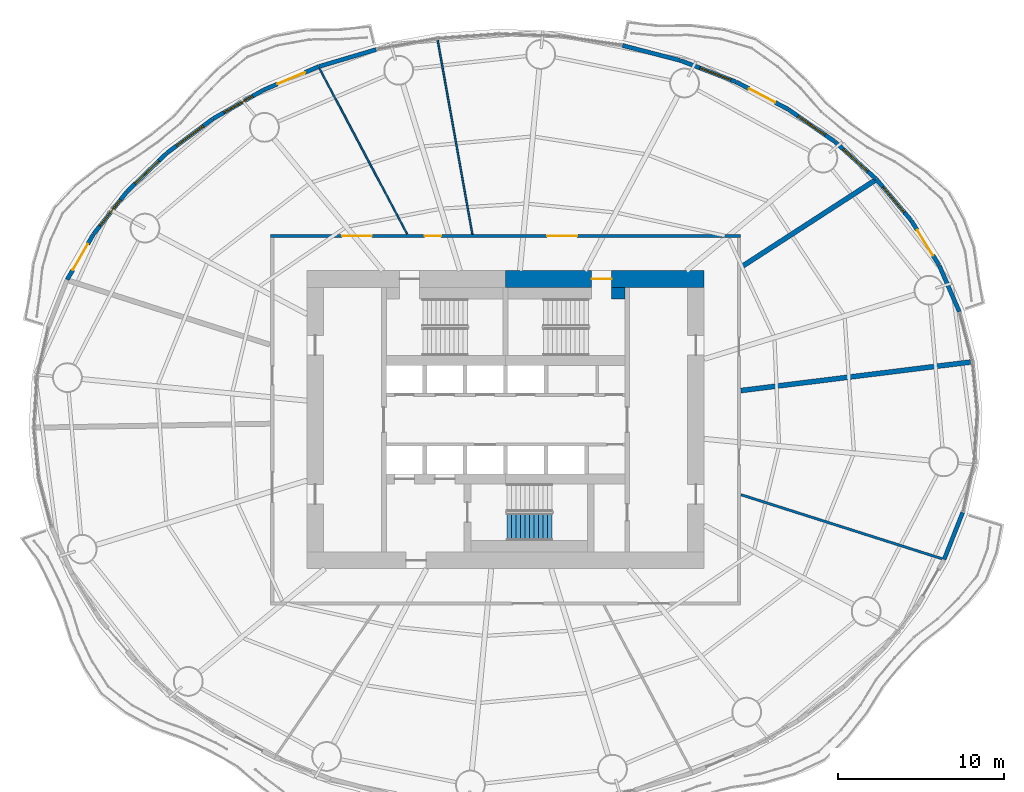
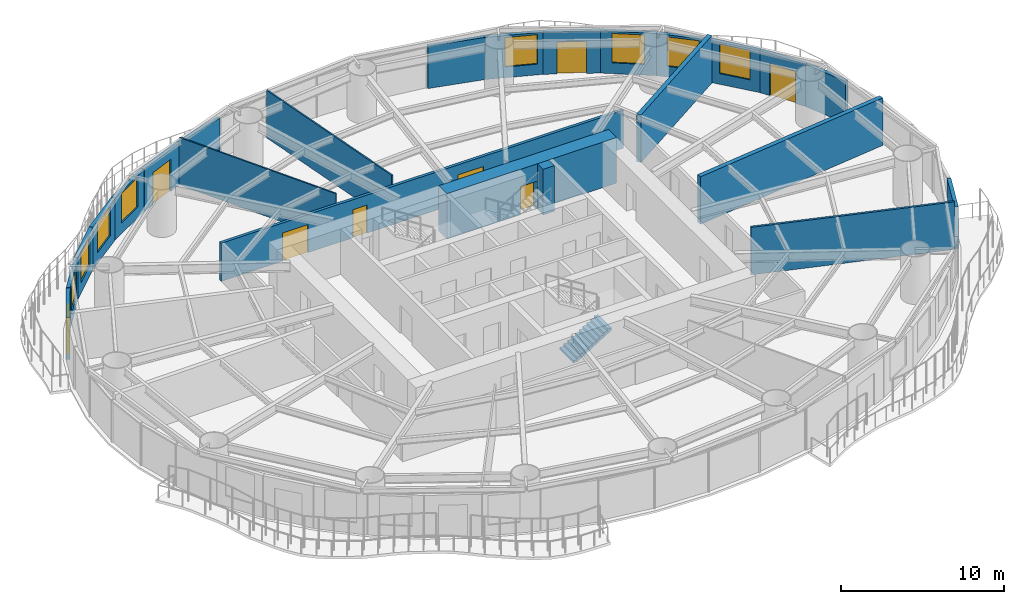
# One storey, part 10 of 17: 24 walls, 8 doors, 8 windows, 1 stair flight, 16 openings, 1 element without a shape of its own.
"""IFC4 building model written with IfcOpenShell, lengths in metres."""

from ifc_helpers import new_model, si_unit, direction, frame, frame_2d, origin, place, context, subcontext, project, spatial, polyline, rectangle, outline, extrude, material, layer, layer_set, type_object, element, fill, aggregate, save


model = new_model("IFC4")

# Units and contexts
model_context = context("Model", 3, precision=1e-05, world=origin(), true_north=direction((0.0, 1.0)))
body_context = subcontext(model_context, "Body", "Model", "MODEL_VIEW")
ifc_project = project(units=[si_unit("LENGTHUNIT", "METRE"), si_unit("AREAUNIT", "SQUARE_METRE"), si_unit("VOLUMEUNIT", "CUBIC_METRE"), si_unit("PLANEANGLEUNIT", "RADIAN"), si_unit("MASSUNIT", "GRAM", prefix="KILO")], contexts=[model_context])

# Site, building, storey
site_placement = place(None, origin())
site = spatial("IfcSite", under=ifc_project, at=site_placement, CompositionType="ELEMENT")
building_placement = place(site_placement, origin())
building = spatial("IfcBuilding", under=site, at=building_placement, Name="Vermilion Reach Broadcast Tower", CompositionType="ELEMENT")
storey_placement = place(building_placement, frame((0.0, 0.0, 39.699951171875)))
storey = spatial("IfcBuildingStorey", under=building, at=storey_placement, Name="L06", CompositionType="ELEMENT", Elevation=39.699951171875)

# Wall, opening, door
ifc_material_1 = material(Name="Concrete C70", Category="concrete")
ifc_layer_1 = layer(ifc_material_1, 1.0)
ifc_layer_set_1 = layer_set([ifc_layer_1], Name="Core outer wall 1000 mm Concrete C70")
wall_type_1 = type_object("IfcWallType", Name="Core outer wall 1000 mm Concrete C70", PredefinedType="SHEAR", material=ifc_layer_set_1)
wall_1_placement = place(storey_placement, frame((6.0, 8.5, 0.0), z_axis=(0.0, 0.0, 1.0), x_axis=(-1.0, 0.0, 0.0)))
wall_1 = element("IfcWall", 1, at=wall_1_placement, inside=storey, type_object=wall_type_1, Name="L06 core wall onE", PredefinedType="SHEAR", context=body_context, shape_type="SweptSolid", body=[
    extrude(rectangle(XDim=12.0, YDim=1.0, at=frame_2d((6.0, 0.0))), origin(), (0.0, 0.0, 1.0), 3.400146484375),
])
opening_1_placement = place(wall_1_placement, frame((5.60009765625, 0.0, 0.0)))
opening_1 = element("IfcOpeningElement", 2, at=opening_1_placement, cuts=wall_1, Name="Opening D01", PredefinedType="OPENING", context=body_context, shape_type="SweptSolid", body=[
    extrude(rectangle(XDim=1.199951171875, YDim=2.10009765625, at=frame_2d((0.60009765625, 1.050048828125))), frame((0.0, 0.510009765625, 0.0), z_axis=(0.0, -1.0, 0.0), x_axis=(1.0, 0.0, 0.0)), (0.0, 0.0, 1.0), 1.02001953125),
])
ifc_material_2 = material(Name="Painted steel fire door", Category="steel")
door_type_1 = type_object("IfcDoorType", Name="Stair door 1200 x 2100", OperationType="DOUBLE_DOOR_SINGLE_SWING", PredefinedType="NOTDEFINED", material=ifc_material_2)
door_1_placement = place(opening_1_placement, origin())
door_1 = element("IfcDoor", 3, at=door_1_placement, inside=storey, type_object=door_type_1, Name="L06 stair door ST2", OperationType="DOUBLE_DOOR_SINGLE_SWING", OverallHeight=2.10009765625, OverallWidth=1.199951171875, PredefinedType="NOTDEFINED", context=body_context, shape_type="SweptSolid", body=[
    extrude(rectangle(XDim=1.199951171875, YDim=2.10009765625, at=frame_2d((0.60009765625, 1.050048828125))), frame((0.0, 0.02490234375, 0.0), z_axis=(0.0, -1.0, 0.0), x_axis=(1.0, 0.0, 0.0)), (0.0, 0.0, 1.0), 0.050048828125),
])
fill(opening_1, door_1)

# Walls
ifc_material_3 = material(Name="Concrete C70", Category="concrete")
ifc_layer_2 = layer(ifc_material_3, 0.699951171875)
ifc_layer_set_2 = layer_set([ifc_layer_2], Name="Core stair wall 700 mm Concrete C70")
wall_type_2 = type_object("IfcWallType", Name="Core stair wall 700 mm Concrete C70", PredefinedType="SHEAR", material=ifc_layer_set_2)
wall_2_placement = place(storey_placement, frame((0.39990234375, 7.64990234375, 0.0), z_axis=(0.0, 0.0, 1.0), x_axis=(1.0, 0.0, 0.0)))
element("IfcWall", 4, at=wall_2_placement, inside=storey, type_object=wall_type_2, Name="L06 core wall l2b", PredefinedType="SHEAR", context=body_context, shape_type="SweptSolid", body=[
    extrude(rectangle(XDim=0.800048828125, YDim=0.699951171875, at=frame_2d((0.39990234375, 0.0))), origin(), (0.0, 0.0, 1.0), 3.400146484375),
])
ifc_material_4 = material(Name="Plasterboard on steel stud", Category="steel")
ifc_layer_3 = layer(ifc_material_4, 0.10009765625)
ifc_layer_set_3 = layer_set([ifc_layer_3], Name="Partition 100 steel stud")
wall_type_3 = type_object("IfcWallType", Name="Partition 100 steel stud", PredefinedType="PARTITIONING", material=ifc_layer_set_3)
wall_3_placement = place(storey_placement, frame((-10.097900390625, 22.90966796875, 0.0), z_axis=(0.0, 0.0, 1.0), x_axis=(0.176081376596, -0.984375613684, 0.0)))
element("IfcWall", 5, at=wall_3_placement, inside=storey, type_object=wall_type_3, Name="Partition 6.03", PredefinedType="PARTITIONING", context=body_context, shape_type="SweptSolid", body=[
    extrude(rectangle(XDim=11.88671875, YDim=0.10009765625, at=frame_2d((5.943359375, 0.0))), origin(), (0.0, 0.0, 1.0), 3.550048828125),
])
wall_4_placement = place(storey_placement, frame((-17.241455078125, 21.21533203125, 0.0), z_axis=(0.0, 0.0, 1.0), x_axis=(0.468204132098, -0.883620331752, 0.0)))
element("IfcWall", 6, at=wall_4_placement, inside=storey, type_object=wall_type_3, Name="Partition 6.04", PredefinedType="PARTITIONING", context=body_context, shape_type="SweptSolid", body=[
    extrude(rectangle(XDim=11.307861328125, YDim=0.10009765625, at=frame_2d((5.65380859375, 0.0))), origin(), (0.0, 0.0, 1.0), 3.550048828125),
])
ifc_material_5 = material(Name="Lightweight concrete block, plastered", Category="concrete")
ifc_layer_4 = layer(ifc_material_5, 0.14990234375)
ifc_layer_set_4 = layer_set([ifc_layer_4], Name="Partition 150 lightweight block")
wall_type_4 = type_object("IfcWallType", Name="Partition 150 lightweight block", PredefinedType="PARTITIONING", material=ifc_layer_set_4)
wall_5_placement = place(storey_placement, frame((20.372314453125, -8.398681640625, 0.0), z_axis=(0.0, 0.0, 1.0), x_axis=(-0.95285006043, 0.303441530346, 0.0)))
element("IfcWall", 7, at=wall_5_placement, inside=storey, type_object=wall_type_4, Name="Partition 6.09", PredefinedType="PARTITIONING", context=body_context, shape_type="SweptSolid", body=[
    extrude(rectangle(XDim=12.7509765625, YDim=0.14990234375, at=frame_2d((6.37548828125, 0.0))), origin(), (0.0, 0.0, 1.0), 3.550048828125),
])
ifc_material_6 = material(Name="Double-leaf plasterboard on isolated steel stud", Category="steel")
ifc_layer_5 = layer(ifc_material_6, 0.300048828125)
ifc_layer_set_5 = layer_set([ifc_layer_5], Name="Partition 300 acoustic double leaf")
wall_type_5 = type_object("IfcWallType", Name="Partition 300 acoustic double leaf", PredefinedType="PARTITIONING", material=ifc_layer_set_5)
wall_6_placement = place(storey_placement, frame((22.0791015625, 3.48388671875, 0.0), z_axis=(0.0, 0.0, 1.0), x_axis=(-0.992390679807, -0.123128951237, 0.0)))
element("IfcWall", 8, at=wall_6_placement, inside=storey, type_object=wall_type_5, Name="Partition 6.01", PredefinedType="PARTITIONING", context=body_context, shape_type="SweptSolid", body=[
    extrude(rectangle(XDim=13.966796875, YDim=0.300048828125, at=frame_2d((6.9833984375, 0.0))), origin(), (0.0, 0.0, 1.0), 3.550048828125),
])
wall_7_placement = place(storey_placement, frame((16.298828125, 14.45166015625, 0.0), z_axis=(0.0, 0.0, 1.0), x_axis=(-0.839170912844, -0.54386779555, 0.0)))
element("IfcWall", 9, at=wall_7_placement, inside=storey, type_object=wall_type_5, Name="Partition 6.02", PredefinedType="PARTITIONING", context=body_context, shape_type="SweptSolid", body=[
    extrude(rectangle(XDim=9.553955078125, YDim=0.300048828125, at=frame_2d((4.77685546875, 0.0))), origin(), (0.0, 0.0, 1.0), 3.550048828125),
])
ifc_material_7 = material(Name="Terracotta rainscreen cladding", Category="masonry")
ifc_layer_6 = layer(ifc_material_7, 0.25)
ifc_layer_set_6 = layer_set([ifc_layer_6], Name="Terracotta rainscreen wall 250")
wall_type_6 = type_object("IfcWallType", Name="Terracotta rainscreen wall 250", PredefinedType="SOLIDWALL", material=ifc_layer_set_6)
wall_8_placement = place(storey_placement, frame((21.406494140625, 6.525634765625, 0.0), z_axis=(0.0, 0.0, 1.0), x_axis=(-0.398117264061, 0.917334532249, 0.0)))
element("IfcWall", 10, at=wall_8_placement, inside=storey, type_object=wall_type_6, Name="External wall L06 02", PredefinedType="SOLIDWALL", context=body_context, shape_type="SweptSolid", body=[
    extrude(rectangle(XDim=3.05029296875, YDim=0.25, at=frame_2d((1.525146484375, 0.0))), origin(), (0.0, 0.0, 1.0), 3.150146484375),
])

# Wall, opening, door
wall_9_placement = place(storey_placement, frame((20.1796875, 9.34716796875, 0.0), z_axis=(0.0, 0.0, 1.0), x_axis=(-0.529936462225, 0.848037349416, 0.0)))
wall_9 = element("IfcWall", 11, at=wall_9_placement, inside=storey, type_object=wall_type_6, Name="External wall L06 03", PredefinedType="SOLIDWALL", context=body_context, shape_type="SweptSolid", body=[
    extrude(rectangle(XDim=3.161376953125, YDim=0.25, at=frame_2d((1.58056640625, 0.0))), origin(), (0.0, 0.0, 1.0), 3.150146484375),
])
opening_2_placement = place(wall_9_placement, frame((0.680908203125, 0.0, 0.0)))
opening_2 = element("IfcOpeningElement", 12, at=opening_2_placement, cuts=wall_9, Name="Opening D70", PredefinedType="OPENING", context=body_context, shape_type="SweptSolid", body=[
    extrude(rectangle(XDim=1.800048828125, YDim=2.39990234375, at=frame_2d((0.89990234375, 1.199951171875))), frame((0.0, 0.135009765625, 0.0), z_axis=(0.0, -1.0, 0.0), x_axis=(1.0, 0.0, 0.0)), (0.0, 0.0, 1.0), 0.27001953125),
])
ifc_material_8 = material(Name="Low-e laminated clear glass in aluminium frame", Category="aluminium")
door_type_2 = type_object("IfcDoorType", Name="Balcony sliding door 1800 x 2400", OperationType="DOUBLE_DOOR_SLIDING", PredefinedType="DOOR", material=ifc_material_8)
door_2_placement = place(opening_2_placement, origin())
door_2 = element("IfcDoor", 13, at=door_2_placement, inside=storey, type_object=door_type_2, Name="Balcony door L06 run 01", OperationType="DOUBLE_DOOR_SLIDING", OverallHeight=2.39990234375, OverallWidth=1.800048828125, PredefinedType="DOOR", context=body_context, shape_type="SweptSolid", body=[
    extrude(rectangle(XDim=1.800048828125, YDim=2.39990234375, at=frame_2d((0.89990234375, 1.199951171875))), frame((0.0, 0.02490234375, 0.0), z_axis=(0.0, -1.0, 0.0), x_axis=(1.0, 0.0, 0.0)), (0.0, 0.0, 1.0), 0.050048828125),
])
fill(opening_2, door_2)

# Wall, opening, window
wall_10_placement = place(storey_placement, frame((18.4892578125, 12.049072265625, 0.0), z_axis=(0.0, 0.0, 1.0), x_axis=(-0.644879179912, 0.76428453034, 0.0)))
wall_10 = element("IfcWall", 14, at=wall_10_placement, inside=storey, type_object=wall_type_6, Name="External wall L06 04", PredefinedType="SOLIDWALL", context=body_context, shape_type="SweptSolid", body=[
    extrude(rectangle(XDim=3.244873046875, YDim=0.25, at=frame_2d((1.62255859375, 0.0))), origin(), (0.0, 0.0, 1.0), 3.150146484375),
])
opening_3_placement = place(wall_10_placement, frame((0.622314453125, 0.0, 0.800048828125)))
opening_3 = element("IfcOpeningElement", 15, at=opening_3_placement, cuts=wall_10, Name="Opening W01", PredefinedType="OPENING", context=body_context, shape_type="SweptSolid", body=[
    extrude(rectangle(XDim=2.0, YDim=2.199951171875, at=frame_2d((1.0, 1.10009765625))), frame((0.0, 0.135009765625, 0.0), z_axis=(0.0, -1.0, 0.0), x_axis=(1.0, 0.0, 0.0)), (0.0, 0.0, 1.0), 0.27001953125),
])
ifc_material_9 = material(Name="Low-e laminated clear glass in aluminium frame", Category="aluminium")
window_type = type_object("IfcWindowType", Name="Punched window 2000 x 2200 sill 800", PartitioningType="SINGLE_PANEL", PredefinedType="WINDOW", material=ifc_material_9)
window_1_placement = place(opening_3_placement, origin())
window_1 = element("IfcWindow", 16, at=window_1_placement, inside=storey, type_object=window_type, Name="Window L06 04", OverallHeight=2.199951171875, OverallWidth=2.0, PartitioningType="SINGLE_PANEL", PredefinedType="WINDOW", context=body_context, shape_type="SweptSolid", body=[
    extrude(rectangle(XDim=2.0, YDim=2.199951171875, at=frame_2d((1.0, 1.10009765625))), frame((0.0, 0.030029296875, 0.0), z_axis=(0.0, -1.0, 0.0), x_axis=(1.0, 0.0, 0.0)), (0.0, 0.0, 1.0), 0.06005859375),
])
fill(opening_3, window_1)

wall_11_placement = place(storey_placement, frame((16.37939453125, 14.546875, 0.0), z_axis=(0.0, 0.0, 1.0), x_axis=(-0.741993404353, 0.670407180672, 0.0)))
wall_11 = element("IfcWall", 17, at=wall_11_placement, inside=storey, type_object=wall_type_6, Name="External wall L06 05", PredefinedType="SOLIDWALL", context=body_context, shape_type="SweptSolid", body=[
    extrude(rectangle(XDim=3.33544921875, YDim=0.25, at=frame_2d((1.667724609375, 0.0))), origin(), (0.0, 0.0, 1.0), 3.150146484375),
])
opening_4_placement = place(wall_11_placement, frame((0.667724609375, 0.0, 0.800048828125)))
opening_4 = element("IfcOpeningElement", 18, at=opening_4_placement, cuts=wall_11, Name="Opening W01", PredefinedType="OPENING", context=body_context, shape_type="SweptSolid", body=[
    extrude(rectangle(XDim=2.0, YDim=2.199951171875, at=frame_2d((1.0, 1.10009765625))), frame((0.0, 0.135009765625, 0.0), z_axis=(0.0, -1.0, 0.0), x_axis=(1.0, 0.0, 0.0)), (0.0, 0.0, 1.0), 0.27001953125),
])
window_2_placement = place(opening_4_placement, origin())
window_2 = element("IfcWindow", 19, at=window_2_placement, inside=storey, type_object=window_type, Name="Window L06 05", OverallHeight=2.199951171875, OverallWidth=2.0, PartitioningType="SINGLE_PANEL", PredefinedType="WINDOW", context=body_context, shape_type="SweptSolid", body=[
    extrude(rectangle(XDim=2.0, YDim=2.199951171875, at=frame_2d((1.0, 1.10009765625))), frame((0.0, 0.030029296875, 0.0), z_axis=(0.0, -1.0, 0.0), x_axis=(1.0, 0.0, 0.0)), (0.0, 0.0, 1.0), 0.06005859375),
])
fill(opening_4, window_2)

wall_12_placement = place(storey_placement, frame((13.8857421875, 16.7978515625, 0.0), z_axis=(0.0, 0.0, 1.0), x_axis=(-0.821704553171, 0.569913701623, 0.0)))
wall_12 = element("IfcWall", 20, at=wall_12_placement, inside=storey, type_object=wall_type_6, Name="External wall L06 06", PredefinedType="SOLIDWALL", context=body_context, shape_type="SweptSolid", body=[
    extrude(rectangle(XDim=3.426513671875, YDim=0.25, at=frame_2d((1.71337890625, 0.0))), origin(), (0.0, 0.0, 1.0), 3.150146484375),
])
opening_5_placement = place(wall_12_placement, frame((0.71337890625, 0.0, 0.800048828125)))
opening_5 = element("IfcOpeningElement", 21, at=opening_5_placement, cuts=wall_12, Name="Opening W01", PredefinedType="OPENING", context=body_context, shape_type="SweptSolid", body=[
    extrude(rectangle(XDim=2.0, YDim=2.199951171875, at=frame_2d((1.0, 1.10009765625))), frame((0.0, 0.135009765625, 0.0), z_axis=(0.0, -1.0, 0.0), x_axis=(1.0, 0.0, 0.0)), (0.0, 0.0, 1.0), 0.27001953125),
])
window_3_placement = place(opening_5_placement, origin())
window_3 = element("IfcWindow", 22, at=window_3_placement, inside=storey, type_object=window_type, Name="Window L06 06", OverallHeight=2.199951171875, OverallWidth=2.0, PartitioningType="SINGLE_PANEL", PredefinedType="WINDOW", context=body_context, shape_type="SweptSolid", body=[
    extrude(rectangle(XDim=2.0, YDim=2.199951171875, at=frame_2d((1.0, 1.10009765625))), frame((0.0, 0.030029296875, 0.0), z_axis=(0.0, -1.0, 0.0), x_axis=(1.0, 0.0, 0.0)), (0.0, 0.0, 1.0), 0.06005859375),
])
fill(opening_5, window_3)

# Wall, opening, door
wall_13_placement = place(storey_placement, frame((11.050048828125, 18.7626953125, 0.0), z_axis=(0.0, 0.0, 1.0), x_axis=(-0.885034300513, 0.465525817667, 0.0)))
wall_13 = element("IfcWall", 23, at=wall_13_placement, inside=storey, type_object=wall_type_6, Name="External wall L06 07", PredefinedType="SOLIDWALL", context=body_context, shape_type="SweptSolid", body=[
    extrude(rectangle(XDim=3.51220703125, YDim=0.25, at=frame_2d((1.756103515625, 0.0))), origin(), (0.0, 0.0, 1.0), 3.150146484375),
])
opening_6_placement = place(wall_13_placement, frame((0.85595703125, 0.0, 0.0)))
opening_6 = element("IfcOpeningElement", 24, at=opening_6_placement, cuts=wall_13, Name="Opening D70", PredefinedType="OPENING", context=body_context, shape_type="SweptSolid", body=[
    extrude(rectangle(XDim=1.800048828125, YDim=2.39990234375, at=frame_2d((0.89990234375, 1.199951171875))), frame((0.0, 0.135009765625, 0.0), z_axis=(0.0, -1.0, 0.0), x_axis=(1.0, 0.0, 0.0)), (0.0, 0.0, 1.0), 0.27001953125),
])
door_3_placement = place(opening_6_placement, origin())
door_3 = element("IfcDoor", 25, at=door_3_placement, inside=storey, type_object=door_type_2, Name="Balcony door L06 run 02", OperationType="DOUBLE_DOOR_SLIDING", OverallHeight=2.39990234375, OverallWidth=1.800048828125, PredefinedType="DOOR", context=body_context, shape_type="SweptSolid", body=[
    extrude(rectangle(XDim=1.800048828125, YDim=2.39990234375, at=frame_2d((0.89990234375, 1.199951171875))), frame((0.0, 0.02490234375, 0.0), z_axis=(0.0, -1.0, 0.0), x_axis=(1.0, 0.0, 0.0)), (0.0, 0.0, 1.0), 0.050048828125),
])
fill(opening_6, door_3)

# Wall, opening, window
wall_14_placement = place(storey_placement, frame((7.9208984375, 20.406982421875, 0.0), z_axis=(0.0, 0.0, 1.0), x_axis=(-0.933305255529, 0.359083973468, 0.0)))
wall_14 = element("IfcWall", 26, at=wall_14_placement, inside=storey, type_object=wall_type_6, Name="External wall L06 08", PredefinedType="SOLIDWALL", context=body_context, shape_type="SweptSolid", body=[
    extrude(rectangle(XDim=3.587158203125, YDim=0.25, at=frame_2d((1.79345703125, 0.0))), origin(), (0.0, 0.0, 1.0), 3.150146484375),
])
opening_7_placement = place(wall_14_placement, frame((0.343994140625, 0.0, 0.800048828125)))
opening_7 = element("IfcOpeningElement", 27, at=opening_7_placement, cuts=wall_14, Name="Opening W01", PredefinedType="OPENING", context=body_context, shape_type="SweptSolid", body=[
    extrude(rectangle(XDim=2.0, YDim=2.199951171875, at=frame_2d((1.0, 1.10009765625))), frame((0.0, 0.135009765625, 0.0), z_axis=(0.0, -1.0, 0.0), x_axis=(1.0, 0.0, 0.0)), (0.0, 0.0, 1.0), 0.27001953125),
])
window_4_placement = place(opening_7_placement, origin())
window_4 = element("IfcWindow", 28, at=window_4_placement, inside=storey, type_object=window_type, Name="Window L06 08", OverallHeight=2.199951171875, OverallWidth=2.0, PartitioningType="SINGLE_PANEL", PredefinedType="WINDOW", context=body_context, shape_type="SweptSolid", body=[
    extrude(rectangle(XDim=2.0, YDim=2.199951171875, at=frame_2d((1.0, 1.10009765625))), frame((0.0, 0.030029296875, 0.0), z_axis=(0.0, -1.0, 0.0), x_axis=(1.0, 0.0, 0.0)), (0.0, 0.0, 1.0), 0.06005859375),
])
fill(opening_7, window_4)

# Walls
wall_15_placement = place(storey_placement, frame((4.5517578125, 21.701904296875, 0.0), z_axis=(0.0, 0.0, 1.0), x_axis=(-0.967782560997, 0.25178743938, 0.0)))
element("IfcWall", 29, at=wall_15_placement, inside=storey, type_object=wall_type_6, Name="External wall L06 09", PredefinedType="SOLIDWALL", context=body_context, shape_type="SweptSolid", body=[
    extrude(rectangle(XDim=3.60302734375, YDim=0.25, at=frame_2d((1.801513671875, 0.0))), origin(), (0.0, 0.0, 1.0), 3.150146484375),
])
wall_16_placement = place(storey_placement, frame((-13.818115234375, 22.35986328125, 0.0), z_axis=(0.0, 0.0, 1.0), x_axis=(-0.958796062101, -0.284095250399, 0.0)))
element("IfcWall", 30, at=wall_16_placement, inside=storey, type_object=wall_type_6, Name="External wall L06 14", PredefinedType="SOLIDWALL", context=body_context, shape_type="SweptSolid", body=[
    extrude(rectangle(XDim=3.603271484375, YDim=0.25, at=frame_2d((1.8017578125, 0.0))), origin(), (0.0, 0.0, 1.0), 3.150146484375),
])

# Wall, opening, door
wall_17_placement = place(storey_placement, frame((-17.293701171875, 21.32861328125, 0.0), z_axis=(0.0, 0.0, 1.0), x_axis=(-0.920777409004, -0.390088404169, 0.0)))
wall_17 = element("IfcWall", 31, at=wall_17_placement, inside=storey, type_object=wall_type_6, Name="External wall L06 15", PredefinedType="SOLIDWALL", context=body_context, shape_type="SweptSolid", body=[
    extrude(rectangle(XDim=3.58740234375, YDim=0.25, at=frame_2d((1.793701171875, 0.0))), origin(), (0.0, 0.0, 1.0), 3.150146484375),
])
opening_8_placement = place(wall_17_placement, frame((0.89404296875, 0.0, 0.0)))
opening_8 = element("IfcOpeningElement", 32, at=opening_8_placement, cuts=wall_17, Name="Opening D70", PredefinedType="OPENING", context=body_context, shape_type="SweptSolid", body=[
    extrude(rectangle(XDim=1.800048828125, YDim=2.39990234375, at=frame_2d((0.89990234375, 1.199951171875))), frame((0.0, 0.135009765625, 0.0), z_axis=(0.0, -1.0, 0.0), x_axis=(1.0, 0.0, 0.0)), (0.0, 0.0, 1.0), 0.27001953125),
])
door_4_placement = place(opening_8_placement, origin())
door_4 = element("IfcDoor", 33, at=door_4_placement, inside=storey, type_object=door_type_2, Name="Balcony door L06 run 04", OperationType="DOUBLE_DOOR_SLIDING", OverallHeight=2.39990234375, OverallWidth=1.800048828125, PredefinedType="DOOR", context=body_context, shape_type="SweptSolid", body=[
    extrude(rectangle(XDim=1.800048828125, YDim=2.39990234375, at=frame_2d((0.89990234375, 1.199951171875))), frame((0.0, 0.02490234375, 0.0), z_axis=(0.0, -1.0, 0.0), x_axis=(1.0, 0.0, 0.0)), (0.0, 0.0, 1.0), 0.050048828125),
])
fill(opening_8, door_4)

# Wall, opening, window
wall_18_placement = place(storey_placement, frame((-20.6171875, 19.919189453125, 0.0), z_axis=(0.0, 0.0, 1.0), x_axis=(-0.868943789931, -0.494910789881, 0.0)))
wall_18 = element("IfcWall", 34, at=wall_18_placement, inside=storey, type_object=wall_type_6, Name="External wall L06 16", PredefinedType="SOLIDWALL", context=body_context, shape_type="SweptSolid", body=[
    extrude(rectangle(XDim=3.51220703125, YDim=0.25, at=frame_2d((1.756103515625, 0.0))), origin(), (0.0, 0.0, 1.0), 3.150146484375),
])
opening_9_placement = place(wall_18_placement, frame((0.756103515625, 0.0, 0.800048828125)))
opening_9 = element("IfcOpeningElement", 35, at=opening_9_placement, cuts=wall_18, Name="Opening W01", PredefinedType="OPENING", context=body_context, shape_type="SweptSolid", body=[
    extrude(rectangle(XDim=2.0, YDim=2.199951171875, at=frame_2d((1.0, 1.10009765625))), frame((0.0, 0.135009765625, 0.0), z_axis=(0.0, -1.0, 0.0), x_axis=(1.0, 0.0, 0.0)), (0.0, 0.0, 1.0), 0.27001953125),
])
window_5_placement = place(opening_9_placement, origin())
window_5 = element("IfcWindow", 36, at=window_5_placement, inside=storey, type_object=window_type, Name="Window L06 16", OverallHeight=2.199951171875, OverallWidth=2.0, PartitioningType="SINGLE_PANEL", PredefinedType="WINDOW", context=body_context, shape_type="SweptSolid", body=[
    extrude(rectangle(XDim=2.0, YDim=2.199951171875, at=frame_2d((1.0, 1.10009765625))), frame((0.0, 0.030029296875, 0.0), z_axis=(0.0, -1.0, 0.0), x_axis=(1.0, 0.0, 0.0)), (0.0, 0.0, 1.0), 0.06005859375),
])
fill(opening_9, window_5)

wall_19_placement = place(storey_placement, frame((-23.688720703125, 18.168212890625, 0.0), z_axis=(0.0, 0.0, 1.0), x_axis=(-0.802166551417, -0.597100346498, 0.0)))
wall_19 = element("IfcWall", 37, at=wall_19_placement, inside=storey, type_object=wall_type_6, Name="External wall L06 17", PredefinedType="SOLIDWALL", context=body_context, shape_type="SweptSolid", body=[
    extrude(rectangle(XDim=3.42626953125, YDim=0.25, at=frame_2d((1.713134765625, 0.0))), origin(), (0.0, 0.0, 1.0), 3.150146484375),
])
opening_10_placement = place(wall_19_placement, frame((0.71337890625, 0.0, 0.800048828125)))
opening_10 = element("IfcOpeningElement", 38, at=opening_10_placement, cuts=wall_19, Name="Opening W01", PredefinedType="OPENING", context=body_context, shape_type="SweptSolid", body=[
    extrude(rectangle(XDim=2.0, YDim=2.199951171875, at=frame_2d((1.0, 1.10009765625))), frame((0.0, 0.135009765625, 0.0), z_axis=(0.0, -1.0, 0.0), x_axis=(1.0, 0.0, 0.0)), (0.0, 0.0, 1.0), 0.27001953125),
])
window_6_placement = place(opening_10_placement, origin())
window_6 = element("IfcWindow", 39, at=window_6_placement, inside=storey, type_object=window_type, Name="Window L06 17", OverallHeight=2.199951171875, OverallWidth=2.0, PartitioningType="SINGLE_PANEL", PredefinedType="WINDOW", context=body_context, shape_type="SweptSolid", body=[
    extrude(rectangle(XDim=2.0, YDim=2.199951171875, at=frame_2d((1.0, 1.10009765625))), frame((0.0, 0.030029296875, 0.0), z_axis=(0.0, -1.0, 0.0), x_axis=(1.0, 0.0, 0.0)), (0.0, 0.0, 1.0), 0.06005859375),
])
fill(opening_10, window_6)

wall_20_placement = place(storey_placement, frame((-26.45556640625, 16.106689453125, 0.0), z_axis=(0.0, 0.0, 1.0), x_axis=(-0.719152952807, -0.694851804682, 0.0)))
wall_20 = element("IfcWall", 40, at=wall_20_placement, inside=storey, type_object=wall_type_6, Name="External wall L06 18", PredefinedType="SOLIDWALL", context=body_context, shape_type="SweptSolid", body=[
    extrude(rectangle(XDim=3.33544921875, YDim=0.25, at=frame_2d((1.667724609375, 0.0))), origin(), (0.0, 0.0, 1.0), 3.150146484375),
])
opening_11_placement = place(wall_20_placement, frame((0.667724609375, 0.0, 0.800048828125)))
opening_11 = element("IfcOpeningElement", 41, at=opening_11_placement, cuts=wall_20, Name="Opening W01", PredefinedType="OPENING", context=body_context, shape_type="SweptSolid", body=[
    extrude(rectangle(XDim=2.0, YDim=2.199951171875, at=frame_2d((1.0, 1.10009765625))), frame((0.0, 0.135009765625, 0.0), z_axis=(0.0, -1.0, 0.0), x_axis=(1.0, 0.0, 0.0)), (0.0, 0.0, 1.0), 0.27001953125),
])
window_7_placement = place(opening_11_placement, origin())
window_7 = element("IfcWindow", 42, at=window_7_placement, inside=storey, type_object=window_type, Name="Window L06 18", OverallHeight=2.199951171875, OverallWidth=2.0, PartitioningType="SINGLE_PANEL", PredefinedType="WINDOW", context=body_context, shape_type="SweptSolid", body=[
    extrude(rectangle(XDim=2.0, YDim=2.199951171875, at=frame_2d((1.0, 1.10009765625))), frame((0.0, 0.030029296875, 0.0), z_axis=(0.0, -1.0, 0.0), x_axis=(1.0, 0.0, 0.0)), (0.0, 0.0, 1.0), 0.06005859375),
])
fill(opening_11, window_7)

wall_21_placement = place(storey_placement, frame((-28.870849609375, 13.7705078125, 0.0), z_axis=(0.0, 0.0, 1.0), x_axis=(-0.618897546754, -0.785471722357, 0.0)))
wall_21 = element("IfcWall", 43, at=wall_21_placement, inside=storey, type_object=wall_type_6, Name="External wall L06 19", PredefinedType="SOLIDWALL", context=body_context, shape_type="SweptSolid", body=[
    extrude(rectangle(XDim=3.244873046875, YDim=0.25, at=frame_2d((1.62255859375, 0.0))), origin(), (0.0, 0.0, 1.0), 3.150146484375),
])
opening_12_placement = place(wall_21_placement, frame((0.622314453125, 0.0, 0.800048828125)))
opening_12 = element("IfcOpeningElement", 44, at=opening_12_placement, cuts=wall_21, Name="Opening W01", PredefinedType="OPENING", context=body_context, shape_type="SweptSolid", body=[
    extrude(rectangle(XDim=2.0, YDim=2.199951171875, at=frame_2d((1.0, 1.10009765625))), frame((0.0, 0.135009765625, 0.0), z_axis=(0.0, -1.0, 0.0), x_axis=(1.0, 0.0, 0.0)), (0.0, 0.0, 1.0), 0.27001953125),
])
window_8_placement = place(opening_12_placement, origin())
window_8 = element("IfcWindow", 45, at=window_8_placement, inside=storey, type_object=window_type, Name="Window L06 19", OverallHeight=2.199951171875, OverallWidth=2.0, PartitioningType="SINGLE_PANEL", PredefinedType="WINDOW", context=body_context, shape_type="SweptSolid", body=[
    extrude(rectangle(XDim=2.0, YDim=2.199951171875, at=frame_2d((1.0, 1.10009765625))), frame((0.0, 0.030029296875, 0.0), z_axis=(0.0, -1.0, 0.0), x_axis=(1.0, 0.0, 0.0)), (0.0, 0.0, 1.0), 0.06005859375),
])
fill(opening_12, window_8)

# Wall, opening, door
wall_22_placement = place(storey_placement, frame((-30.8935546875, 11.200439453125, 0.0), z_axis=(0.0, 0.0, 1.0), x_axis=(-0.501203693301, -0.86532933489, 0.0)))
wall_22 = element("IfcWall", 46, at=wall_22_placement, inside=storey, type_object=wall_type_6, Name="External wall L06 20", PredefinedType="SOLIDWALL", context=body_context, shape_type="SweptSolid", body=[
    extrude(rectangle(XDim=3.161376953125, YDim=0.25, at=frame_2d((1.58056640625, 0.0))), origin(), (0.0, 0.0, 1.0), 3.150146484375),
])
opening_13_placement = place(wall_22_placement, frame((0.680908203125, 0.0, 0.0)))
opening_13 = element("IfcOpeningElement", 47, at=opening_13_placement, cuts=wall_22, Name="Opening D70", PredefinedType="OPENING", context=body_context, shape_type="SweptSolid", body=[
    extrude(rectangle(XDim=1.800048828125, YDim=2.39990234375, at=frame_2d((0.89990234375, 1.199951171875))), frame((0.0, 0.135009765625, 0.0), z_axis=(0.0, -1.0, 0.0), x_axis=(1.0, 0.0, 0.0)), (0.0, 0.0, 1.0), 0.27001953125),
])
door_5_placement = place(opening_13_placement, origin())
door_5 = element("IfcDoor", 48, at=door_5_placement, inside=storey, type_object=door_type_2, Name="Balcony door L06 run 05", OperationType="DOUBLE_DOOR_SLIDING", OverallHeight=2.39990234375, OverallWidth=1.800048828125, PredefinedType="DOOR", context=body_context, shape_type="SweptSolid", body=[
    extrude(rectangle(XDim=1.800048828125, YDim=2.39990234375, at=frame_2d((0.89990234375, 1.199951171875))), frame((0.0, 0.02490234375, 0.0), z_axis=(0.0, -1.0, 0.0), x_axis=(1.0, 0.0, 0.0)), (0.0, 0.0, 1.0), 0.050048828125),
])
fill(opening_13, door_5)

# Wall
wall_23_placement = place(storey_placement, frame((20.48974609375, -8.44091796875, 0.0), z_axis=(0.0, 0.0, 1.0), x_axis=(0.367150133135, 0.93016169548, 0.0)))
element("IfcWall", 49, at=wall_23_placement, inside=storey, type_object=wall_type_6, Name="External wall L06 45", PredefinedType="SOLIDWALL", context=body_context, shape_type="SweptSolid", body=[
    extrude(rectangle(XDim=3.05029296875, YDim=0.25, at=frame_2d((1.525146484375, 0.0))), origin(), (0.0, 0.0, 1.0), 3.150146484375),
])

# Wall, openings, doors
ifc_material_10 = material(Name="Fire-rated gypsum board partition")
ifc_layer_7 = layer(ifc_material_10, 0.199951171875)
ifc_layer_set_7 = layer_set([ifc_layer_7], Name="Under girder: Corridor wall 200 fire-rated")
wall_type_7 = type_object("IfcWallType", Name="Under girder: Corridor wall 200 fire-rated", PredefinedType="PARTITIONING", material=ifc_layer_set_7)
wall_24_placement = place(storey_placement, frame((-20.199951171875, 11.10009765625, 0.0), z_axis=(0.0, 0.0, 1.0), x_axis=(1.0, 0.0, 0.0)))
wall_24 = element("IfcWall", 50, at=wall_24_placement, inside=storey, type_object=wall_type_7, Name="Corridor wall 6.N", PredefinedType="PARTITIONING", context=body_context, shape_type="SweptSolid", body=[
    extrude(rectangle(XDim=28.39990234375, YDim=0.199951171875, at=frame_2d((14.199951171875, 0.0))), origin(), (0.0, 0.0, 1.0), 2.85009765625),
])
opening_14_placement = place(wall_24_placement, frame((16.717529296875, 0.0, 0.0)))
opening_14 = element("IfcOpeningElement", 51, at=opening_14_placement, cuts=wall_24, Name="Opening D21", PredefinedType="OPENING", context=body_context, shape_type="SweptSolid", body=[
    extrude(rectangle(XDim=1.800048828125, YDim=2.10009765625, at=frame_2d((0.89990234375, 1.050048828125))), frame((0.0, 0.10986328125, 0.0), z_axis=(0.0, -1.0, 0.0), x_axis=(1.0, 0.0, 0.0)), (0.0, 0.0, 1.0), 0.219970703125),
])
opening_15_placement = place(wall_24_placement, frame((9.3046875, 0.0, 0.0)))
opening_15 = element("IfcOpeningElement", 52, at=opening_15_placement, cuts=wall_24, Name="Opening D20", PredefinedType="OPENING", context=body_context, shape_type="SweptSolid", body=[
    extrude(rectangle(XDim=1.0, YDim=2.10009765625, at=frame_2d((0.5, 1.050048828125))), frame((0.0, 0.10986328125, 0.0), z_axis=(0.0, -1.0, 0.0), x_axis=(1.0, 0.0, 0.0)), (0.0, 0.0, 1.0), 0.219970703125),
])
opening_16_placement = place(wall_24_placement, frame((4.32568359375, 0.0, 0.0)))
opening_16 = element("IfcOpeningElement", 53, at=opening_16_placement, cuts=wall_24, Name="Opening D21", PredefinedType="OPENING", context=body_context, shape_type="SweptSolid", body=[
    extrude(rectangle(XDim=1.800048828125, YDim=2.10009765625, at=frame_2d((0.89990234375, 1.050048828125))), frame((0.0, 0.10986328125, 0.0), z_axis=(0.0, -1.0, 0.0), x_axis=(1.0, 0.0, 0.0)), (0.0, 0.0, 1.0), 0.219970703125),
])
ifc_material_11 = material(Name="Timber door leaf", Category="wood")
door_type_3 = type_object("IfcDoorType", Name="Door pair 1800x2100", OperationType="NOTDEFINED", PredefinedType="DOOR", material=ifc_material_11)
door_6_placement = place(opening_14_placement, origin())
door_6 = element("IfcDoor", 54, at=door_6_placement, inside=storey, type_object=door_type_3, Name="Door 6.02", OperationType="DOUBLE_DOOR_SINGLE_SWING", OverallHeight=2.10009765625, OverallWidth=1.800048828125, PredefinedType="DOOR", context=body_context, shape_type="SweptSolid", body=[
    extrude(rectangle(XDim=1.800048828125, YDim=2.10009765625, at=frame_2d((0.89990234375, 1.050048828125))), frame((0.0, 0.02490234375, 0.0), z_axis=(0.0, -1.0, 0.0), x_axis=(1.0, 0.0, 0.0)), (0.0, 0.0, 1.0), 0.050048828125),
])
fill(opening_14, door_6)
door_7_placement = place(opening_16_placement, origin())
door_7 = element("IfcDoor", 55, at=door_7_placement, inside=storey, type_object=door_type_3, Name="Door 6.04", OperationType="DOUBLE_DOOR_SINGLE_SWING", OverallHeight=2.10009765625, OverallWidth=1.800048828125, PredefinedType="DOOR", context=body_context, shape_type="SweptSolid", body=[
    extrude(rectangle(XDim=1.800048828125, YDim=2.10009765625, at=frame_2d((0.89990234375, 1.050048828125))), frame((0.0, 0.02490234375, 0.0), z_axis=(0.0, -1.0, 0.0), x_axis=(1.0, 0.0, 0.0)), (0.0, 0.0, 1.0), 0.050048828125),
])
fill(opening_16, door_7)
ifc_material_12 = material(Name="Timber door leaf", Category="wood")
door_type_4 = type_object("IfcDoorType", Name="Door single 1000x2100", OperationType="NOTDEFINED", PredefinedType="DOOR", material=ifc_material_12)
door_8_placement = place(opening_15_placement, origin())
door_8 = element("IfcDoor", 56, at=door_8_placement, inside=storey, type_object=door_type_4, Name="Door 6.03", OperationType="SINGLE_SWING_LEFT", OverallHeight=2.10009765625, OverallWidth=1.0, PredefinedType="DOOR", context=body_context, shape_type="SweptSolid", body=[
    extrude(rectangle(XDim=1.0, YDim=2.10009765625, at=frame_2d((0.5, 1.050048828125))), frame((0.0, 0.02490234375, 0.0), z_axis=(0.0, -1.0, 0.0), x_axis=(1.0, 0.0, 0.0)), (0.0, 0.0, 1.0), 0.050048828125),
])
fill(opening_15, door_8)

# Stair, stair flight
ifc_material_13 = material(Name="Concrete C40", Category="concrete")
stair_type = type_object("IfcStairType", Name="Exit stair RC 22 risers 168 mm", PredefinedType="HALF_TURN_STAIR", material=ifc_material_13)
stair_placement = place(storey_placement, origin())
stair = element("IfcStair", 57, at=stair_placement, inside=storey, type_object=stair_type, Name="L06 Exit stair ST3", PredefinedType="HALF_TURN_STAIR")
ifc_material_14 = material(Name="Concrete C40", Category="concrete")
stair_flight_type = type_object("IfcStairFlightType", Name="Exit stair flight RC 11 risers", PredefinedType="STRAIGHT", material=ifc_material_14)
stair_flight_placement = place(storey_placement, frame((-5.89990234375, -6.469970703125, 0.0), z_axis=(0.0, 0.0, 1.0), x_axis=(1.0, 0.0, 0.0)))
stair_flight = element("IfcStairFlight", 58, at=stair_flight_placement, type_object=stair_flight_type, Name="ST3 flight 1", NumberOfRisers=11, NumberOfTreads=10, PredefinedType="STRAIGHT", RiserHeight=0.168181818, TreadLength=0.27, context=body_context, shape_type="SweptSolid", body=[
    extrude(outline(polyline([(0.0, 0.0), (0.0, 0.168212890625), (0.27001953125, 0.168212890625), (0.27001953125, 0.33642578125), (0.5400390625, 0.33642578125), (0.5400390625, 0.504638671875), (0.81005859375, 0.504638671875), (0.81005859375, 0.672607421875), (1.080078125, 0.672607421875), (1.080078125, 0.8408203125), (1.35009765625, 0.8408203125), (1.35009765625, 1.009033203125), (1.6201171875, 1.009033203125), (1.6201171875, 1.17724609375), (1.889892578125, 1.17724609375), (1.889892578125, 1.345458984375), (2.159912109375, 1.345458984375), (2.159912109375, 1.513671875), (2.429931640625, 1.513671875), (2.429931640625, 1.681884765625), (2.699951171875, 1.681884765625), (2.699951171875, 1.85009765625), (2.699951171875, 1.505126953125), (0.283447265625, 0.0), (0.0, 0.0)])), frame((0.0, 0.830078125, 0.0), z_axis=(0.0, -1.0, 0.0), x_axis=(1.0, 0.0, 0.0)), (0.0, 0.0, 1.0), 1.659912109375),
])
aggregate(stair, [stair_flight])

save(model, "model.ifc")
